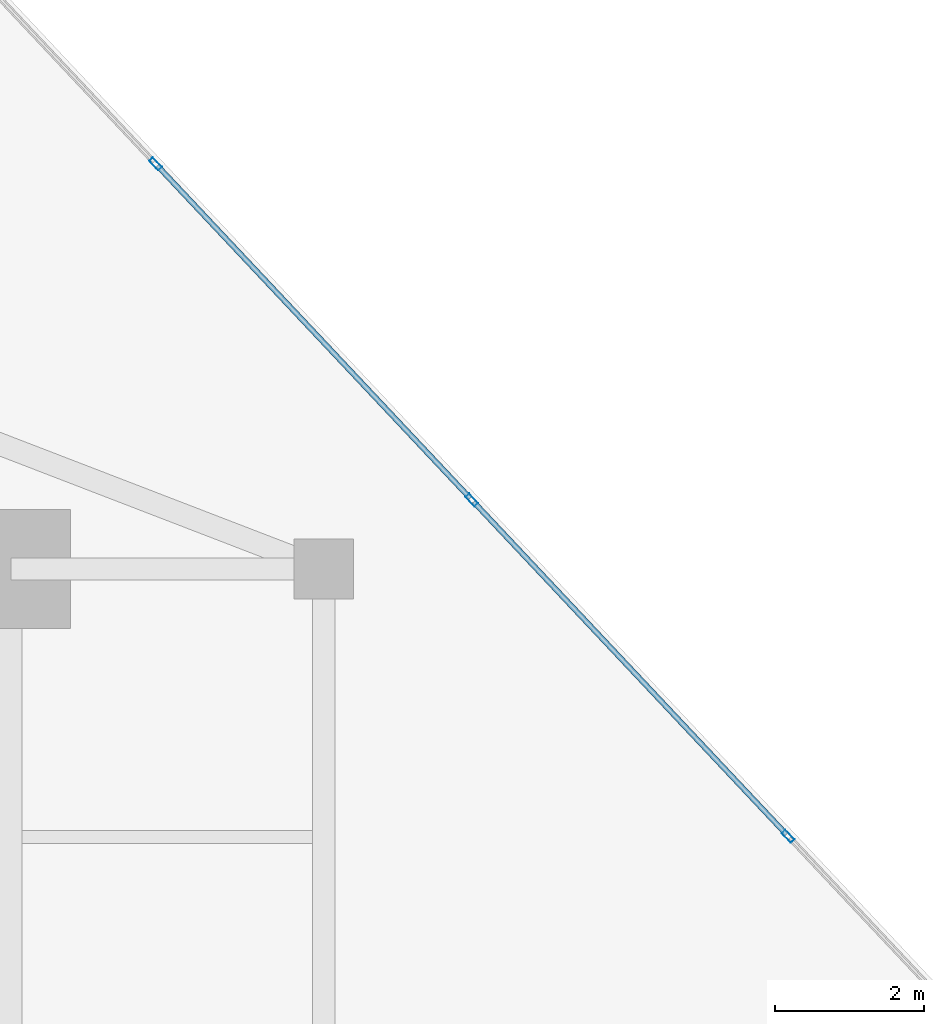
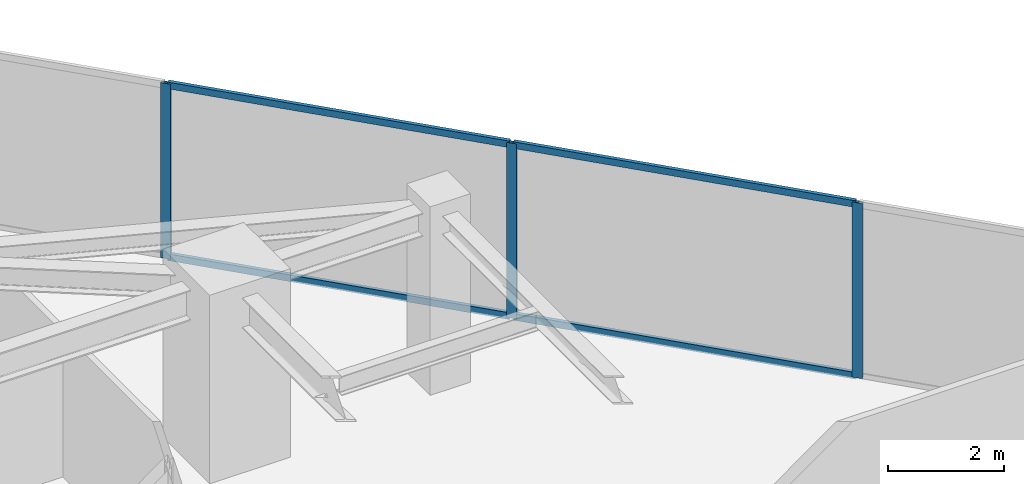
# One storey, part 18 of 25: 7 members, 1 element without a shape of its own.
"""IFC4 building model written with IfcOpenShell, lengths in metres."""

from ifc_helpers import new_model, si_unit, direction, frame, origin, origin_2d, place, context, subcontext, project, spatial, hollow_rectangle, extrude, source, transform, mapped, material, material_profile, profile_set, type_object, type_shapes, element, aggregate, save


model = new_model("IFC4")

# Units and contexts
model_context = context("Model", 3, precision=1e-05, world=origin(), true_north=direction((0.0, 1.0)))
body_context = subcontext(model_context, "Body", "Model", "MODEL_VIEW")
ifc_project = project(units=[si_unit("LENGTHUNIT", "METRE"), si_unit("AREAUNIT", "SQUARE_METRE"), si_unit("VOLUMEUNIT", "CUBIC_METRE"), si_unit("PLANEANGLEUNIT", "RADIAN"), si_unit("MASSUNIT", "GRAM", prefix="KILO")], contexts=[model_context])

# Site, building, storey
site_placement = place(None, origin())
site = spatial("IfcSite", under=ifc_project, at=site_placement, CompositionType="ELEMENT")
building_placement = place(site_placement, origin())
building = spatial("IfcBuilding", under=site, at=building_placement, Name="Krantzveldt Concourse Tower", CompositionType="ELEMENT")
storey_placement = place(building_placement, frame((0.0, 0.0, 238.89990234375)))
storey = spatial("IfcBuildingStorey", under=building, at=storey_placement, Name="L58", CompositionType="ELEMENT", Elevation=238.89990234375)

# Curtain wall, members
ifc_material = material(Name="Anodised aluminium 6063-T6", Category="aluminium")
curtain_wall_type = type_object("IfcCurtainWallType", Name="CW3", PredefinedType="USERDEFINED", material=ifc_material)
curtain_wall_placement = place(storey_placement, origin())
curtain_wall = element("IfcCurtainWall", 1, at=curtain_wall_placement, inside=storey, type_object=curtain_wall_type, Name="CW-L58-F14", ObjectType="UNITISED CURTAIN WALL", PredefinedType="USERDEFINED")
ifc_material_profile_1 = material_profile(ifc_material, hollow_rectangle(XDim=0.070068359375, YDim=0.179931640625, WallThickness=0.0048828125, at=origin_2d()), Name="Anodised aluminium 6063-T6", Category="aluminium")
ifc_profile_set_1 = profile_set([ifc_material_profile_1], Name="Anodised aluminium 6063-T6 - ALU-MULL 180x70x5")
member_type_1 = type_object("IfcMemberType", Name="CW-MUL-180", PredefinedType="MULLION", material=ifc_profile_set_1)
shared_shape_1 = source(origin(), body_context, "Body", "SweptSolid", [
    extrude(hollow_rectangle(XDim=0.070068359375, YDim=0.179931640625, WallThickness=0.0048828125, at=origin_2d()), origin(), (0.0, 0.0, 1.0), 3.670166015625),
])
type_shapes(member_type_1, [shared_shape_1])
member_1_placement = place(storey_placement, frame((57.23828125, 33.91064453125, 0.0), z_axis=(0.0, 0.0, 1.0), x_axis=(-0.728371012348, -0.685182945184, 0.0)))
member_1 = element("IfcMember", 2, at=member_1_placement, type_object=member_type_1, Name="CW-Z34 mullion 2", PredefinedType="MULLION", context=body_context, shape_type="MappedRepresentation", body=[
    mapped(shared_shape_1, transform((0.0, 0.0, 0.0), x_axis=(1.0, 0.0, 0.0), y_axis=(0.0, 1.0, 0.0), z_axis=(0.0, 0.0, 1.0), scale=1.0)),
])
member_2_placement = place(storey_placement, frame((52.990234375, 38.426513671875, 0.0), z_axis=(0.0, 0.0, 1.0), x_axis=(-0.728371012348, -0.685182945184, 0.0)))
member_2 = element("IfcMember", 3, at=member_2_placement, type_object=member_type_1, Name="CW-Z34 mullion 3", PredefinedType="MULLION", context=body_context, shape_type="MappedRepresentation", body=[
    mapped(shared_shape_1, transform((0.0, 0.0, 0.0), x_axis=(1.0, 0.0, 0.0), y_axis=(0.0, 1.0, 0.0), z_axis=(0.0, 0.0, 1.0), scale=1.0)),
])
member_3_placement = place(storey_placement, frame((48.741943359375, 42.942626953125, 0.0), z_axis=(0.0, 0.0, 1.0), x_axis=(-0.728371012348, -0.685182945184, 0.0)))
member_3 = element("IfcMember", 4, at=member_3_placement, type_object=member_type_1, Name="CW-Z34 mullion 4", PredefinedType="MULLION", context=body_context, shape_type="MappedRepresentation", body=[
    mapped(shared_shape_1, transform((0.0, 0.0, 0.0), x_axis=(1.0, 0.0, 0.0), y_axis=(0.0, 1.0, 0.0), z_axis=(0.0, 0.0, 1.0), scale=1.0)),
])
ifc_material_profile_2 = material_profile(ifc_material, hollow_rectangle(XDim=0.070068359375, YDim=0.139892578125, WallThickness=0.0048828125, at=origin_2d()), Name="Anodised aluminium 6063-T6", Category="aluminium")
ifc_profile_set_2 = profile_set([ifc_material_profile_2], Name="Anodised aluminium 6063-T6 - ALU-TRAN 140x70x5")
member_type_2 = type_object("IfcMemberType", Name="CW-TRN-150", PredefinedType="USERDEFINED", material=ifc_profile_set_2)
shared_shape_2 = source(origin(), body_context, "Body", "SweptSolid", [
    extrude(hollow_rectangle(XDim=0.070068359375, YDim=0.139892578125, WallThickness=0.0048828125, at=origin_2d()), origin(), (0.0, 0.0, 1.0), 6.1298828125),
])
type_shapes(member_type_2, [shared_shape_2])
member_4_placement = place(storey_placement, frame((57.21435546875, 33.936279296875, 0.03515625), z_axis=(-0.685190754255, 0.72836366623, 0.0), x_axis=(-0.72836366623, -0.685190754255, 0.0)))
member_4 = element("IfcMember", 5, at=member_4_placement, type_object=member_type_2, Name="CW-Z34 transom 2.1", ObjectType="TRANSOM", PredefinedType="USERDEFINED", context=body_context, shape_type="MappedRepresentation", body=[
    mapped(shared_shape_2, transform((0.0, 0.0, 0.0), x_axis=(1.0, 0.0, 0.0), y_axis=(0.0, 1.0, 0.0), z_axis=(0.0, 0.0, 1.0), scale=1.0)),
])
member_5_placement = place(storey_placement, frame((57.21435546875, 33.936279296875, 3.635009765625), z_axis=(-0.685190754255, 0.72836366623, 0.0), x_axis=(-0.72836366623, -0.685190754255, 0.0)))
member_5 = element("IfcMember", 6, at=member_5_placement, type_object=member_type_2, Name="CW-Z34 transom 2.2", ObjectType="TRANSOM", PredefinedType="USERDEFINED", context=body_context, shape_type="MappedRepresentation", body=[
    mapped(shared_shape_2, transform((0.0, 0.0, 0.0), x_axis=(1.0, 0.0, 0.0), y_axis=(0.0, 1.0, 0.0), z_axis=(0.0, 0.0, 1.0), scale=1.0)),
])
member_6_placement = place(storey_placement, frame((52.966064453125, 38.4521484375, 0.03515625), z_axis=(-0.685190754255, 0.72836366623, 0.0), x_axis=(-0.72836366623, -0.685190754255, 0.0)))
member_6 = element("IfcMember", 7, at=member_6_placement, type_object=member_type_2, Name="CW-Z34 transom 3.1", ObjectType="TRANSOM", PredefinedType="USERDEFINED", context=body_context, shape_type="MappedRepresentation", body=[
    mapped(shared_shape_2, transform((0.0, 0.0, 0.0), x_axis=(1.0, 0.0, 0.0), y_axis=(0.0, 1.0, 0.0), z_axis=(0.0, 0.0, 1.0), scale=1.0)),
])
member_7_placement = place(storey_placement, frame((52.966064453125, 38.4521484375, 3.635009765625), z_axis=(-0.685190754255, 0.72836366623, 0.0), x_axis=(-0.72836366623, -0.685190754255, 0.0)))
member_7 = element("IfcMember", 8, at=member_7_placement, type_object=member_type_2, Name="CW-Z34 transom 3.2", ObjectType="TRANSOM", PredefinedType="USERDEFINED", context=body_context, shape_type="MappedRepresentation", body=[
    mapped(shared_shape_2, transform((0.0, 0.0, 0.0), x_axis=(1.0, 0.0, 0.0), y_axis=(0.0, 1.0, 0.0), z_axis=(0.0, 0.0, 1.0), scale=1.0)),
])
aggregate(curtain_wall, [member_1, member_2, member_3, member_4, member_5, member_6, member_7])

save(model, "model.ifc")
